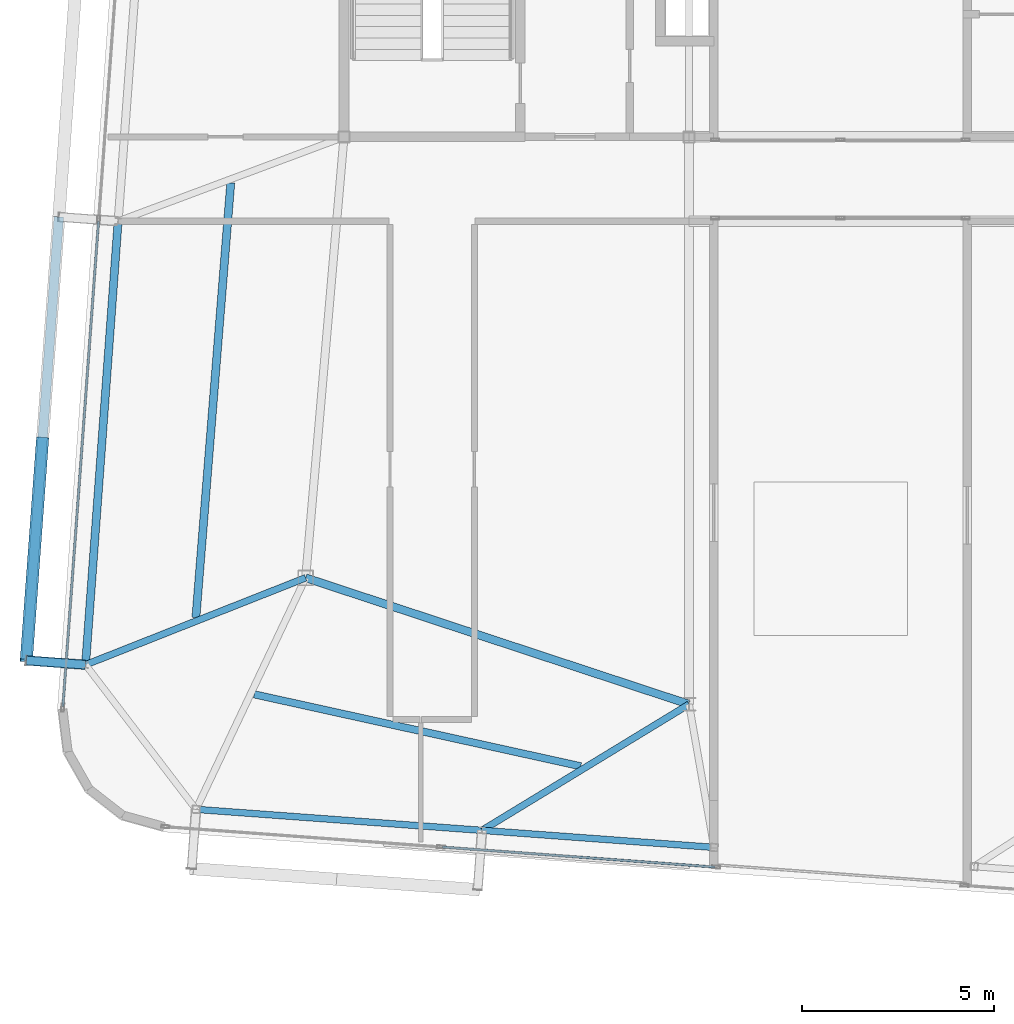
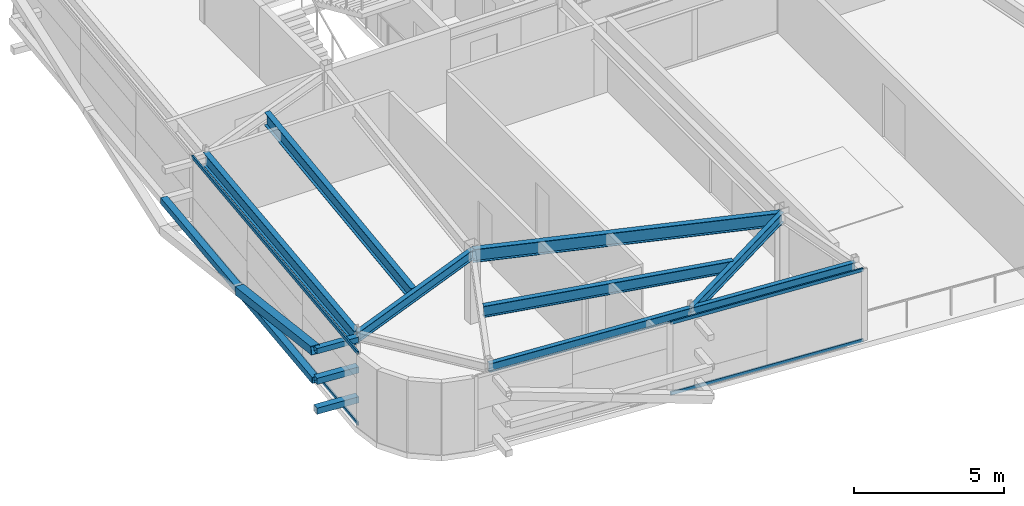
# One storey, part 10 of 36: 9 members, 8 beams, 2 elements without a shape of their own.
"""IFC4 building model written with IfcOpenShell, lengths in metres."""

from ifc_helpers import new_model, si_unit, direction, frame, origin, origin_2d, place, context, subcontext, project, spatial, hollow_rectangle, i_section, extrude, source, transform, mapped, material, layer, layer_set, material_profile, profile_set, type_object, element, aggregate, save


model = new_model("IFC4")

# Units and contexts
model_context = context("Model", 3, precision=1e-05, world=origin(), true_north=direction((0.0, 1.0)))
body_context = subcontext(model_context, "Body", "Model", "MODEL_VIEW")
ifc_project = project(units=[si_unit("LENGTHUNIT", "METRE"), si_unit("AREAUNIT", "SQUARE_METRE"), si_unit("VOLUMEUNIT", "CUBIC_METRE"), si_unit("PLANEANGLEUNIT", "RADIAN"), si_unit("MASSUNIT", "GRAM", prefix="KILO")], contexts=[model_context])

# Site, building, storey
site_placement = place(None, origin())
site = spatial("IfcSite", under=ifc_project, at=site_placement, CompositionType="ELEMENT")
building_placement = place(site_placement, origin())
building = spatial("IfcBuilding", under=site, at=building_placement, Name="Taldren Reach Tower", CompositionType="ELEMENT")
storey_placement = place(building_placement, frame((0.0, 0.0, 227.14990234375)))
storey = spatial("IfcBuildingStorey", under=building, at=storey_placement, Name="L69", CompositionType="ELEMENT", Elevation=227.14990234375)

# Beams
ifc_material_1 = material(Name="Steel Gr 350 (350PLUS)", Category="steel")
ifc_material_profile_1 = material_profile(ifc_material_1, i_section(OverallWidth=0.208984375, OverallDepth=0.532958984375, WebThickness=0.01025390625, FlangeThickness=0.015625, at=origin_2d()), Name="530UB92.4")
ifc_profile_set_1 = profile_set([ifc_material_profile_1], Name="Steel Gr 350 (350PLUS)")
beam_type_1 = type_object("IfcBeamType", Name="BM-UB530A", PredefinedType="BEAM", material=ifc_profile_set_1)
shared_shape_1 = source(origin(), body_context, "Body", "SweptSolid", [
    extrude(i_section(OverallWidth=0.208984375, OverallDepth=0.532958984375, WebThickness=0.01025390625, FlangeThickness=0.015625, at=origin_2d()), origin(), (0.0, 0.0, 1.0), 10.530517578125),
])
beam_1_placement = place(storey_placement, frame((18.0, 12.5, 2.66357421875), z_axis=(0.949627269203, -0.313381635689, 0.0), x_axis=(0.313381635689, 0.949627269203, 0.0)))
element("IfcBeam", 1, at=beam_1_placement, inside=storey, type_object=beam_type_1, Name="Core-spine girder L69-SP10", PredefinedType="BEAM", context=body_context, shape_type="MappedRepresentation", body=[
    mapped(shared_shape_1, transform((0.0, 0.0, 0.0), scale=1.0)),
])
ifc_material_profile_2 = material_profile(ifc_material_1, i_section(OverallWidth=0.172119140625, OverallDepth=0.35888671875, WebThickness=0.008056640625, FlangeThickness=0.012939453125, at=origin_2d()), Name="360UB56.7")
ifc_profile_set_2 = profile_set([ifc_material_profile_2], Name="Steel Gr 350 (350PLUS)")
beam_type_2 = type_object("IfcBeamType", Name="SP-UB360", PredefinedType="SPANDREL", material=ifc_profile_set_2)
shared_shape_2 = source(origin(), body_context, "Body", "SweptSolid", [
    extrude(i_section(OverallWidth=0.172119140625, OverallDepth=0.35888671875, WebThickness=0.008056640625, FlangeThickness=0.012939453125, at=origin_2d()), origin(), (0.0, 0.0, 1.0), 7.47998046875),
])
beam_2_placement = place(storey_placement, frame((15.140625, 6.460205078125, 2.75048828125), z_axis=(0.997314220642, -0.07324169103, 0.0), x_axis=(0.07324169103, 0.997314220642, 0.0)))
element("IfcBeam", 2, at=beam_2_placement, inside=storey, type_object=beam_type_2, Name="Perimeter spandrel B5 S1-S2 L69", PredefinedType="SPANDREL", context=body_context, shape_type="MappedRepresentation", body=[
    mapped(shared_shape_2, transform((0.0, 0.0, 0.0), scale=1.0)),
])
shared_shape_3 = source(origin(), body_context, "Body", "SweptSolid", [
    extrude(i_section(OverallWidth=0.172119140625, OverallDepth=0.35888671875, WebThickness=0.008056640625, FlangeThickness=0.012939453125, at=origin_2d()), origin(), (0.0, 0.0, 1.0), 6.070068359375),
])
beam_3_placement = place(storey_placement, frame((22.6005859375, 5.912353515625, 2.75048828125), z_axis=(0.997314196413, -0.073242020958, 0.0), x_axis=(0.073242020958, 0.997314196413, 0.0)))
element("IfcBeam", 3, at=beam_3_placement, inside=storey, type_object=beam_type_2, Name="Perimeter spandrel B5 S2-PJ1 L69", PredefinedType="SPANDREL", context=body_context, shape_type="MappedRepresentation", body=[
    mapped(shared_shape_3, transform((0.0, 0.0, 0.0), scale=1.0)),
])
ifc_material_profile_3 = material_profile(ifc_material_1, i_section(OverallWidth=0.208984375, OverallDepth=0.528076171875, WebThickness=0.009521484375, FlangeThickness=0.01318359375, at=origin_2d()), Name="530UB82.0")
ifc_profile_set_3 = profile_set([ifc_material_profile_3], Name="Steel Gr 350 (350PLUS)")
beam_type_3 = type_object("IfcBeamType", Name="SP-UB530B", PredefinedType="SPANDREL", material=ifc_profile_set_3)
shared_shape_4 = source(origin(), body_context, "Body", "SweptSolid", [
    extrude(i_section(OverallWidth=0.208984375, OverallDepth=0.528076171875, WebThickness=0.009521484375, FlangeThickness=0.01318359375, at=origin_2d()), origin(), (0.0, 0.0, 1.0), 11.60009765625),
])
beam_4_placement = place(storey_placement, frame((13.108642578125, 21.80029296875, 2.666015625), z_axis=(-0.073242167855, -0.997314185625, 0.0), x_axis=(0.997314185625, -0.073242167855, 0.0)))
element("IfcBeam", 4, at=beam_4_placement, inside=storey, type_object=beam_type_3, Name="Perimeter spandrel B5 W2-W1 L69", PredefinedType="SPANDREL", context=body_context, shape_type="MappedRepresentation", body=[
    mapped(shared_shape_4, transform((0.0, 0.0, 0.0), scale=1.0)),
])
ifc_material_profile_4 = material_profile(ifc_material_1, i_section(OverallWidth=0.177978515625, OverallDepth=0.406005859375, WebThickness=0.0078125, FlangeThickness=0.0126953125, at=origin_2d()), Name="410UB59.7")
ifc_profile_set_4 = profile_set([ifc_material_profile_4], Name="Steel Gr 350 (350PLUS)")
beam_type_4 = type_object("IfcBeamType", Name="BM-UB410", PredefinedType="BEAM", material=ifc_profile_set_4)
shared_shape_5 = source(origin(), body_context, "Body", "SweptSolid", [
    extrude(i_section(OverallWidth=0.177978515625, OverallDepth=0.406005859375, WebThickness=0.0078125, FlangeThickness=0.0126953125, at=origin_2d()), origin(), (0.0, 0.0, 1.0), 6.321533203125),
])
beam_5_placement = place(storey_placement, frame((28.0, 9.199951171875, 2.72705078125), z_axis=(-0.854128445192, -0.520062110823, 0.0), x_axis=(0.520062110823, -0.854128445192, 0.0)))
element("IfcBeam", 5, at=beam_5_placement, inside=storey, type_object=beam_type_4, Name="Primary floor girder B5-S2 L69", PredefinedType="BEAM", context=body_context, shape_type="MappedRepresentation", body=[
    mapped(shared_shape_5, transform((0.0, 0.0, 0.0), scale=1.0)),
])
shared_shape_6 = source(origin(), body_context, "Body", "SweptSolid", [
    extrude(i_section(OverallWidth=0.177978515625, OverallDepth=0.406005859375, WebThickness=0.0078125, FlangeThickness=0.0126953125, at=origin_2d()), origin(), (0.0, 0.0, 1.0), 6.1728515625),
])
beam_6_placement = place(storey_placement, frame((18.0, 12.5, 2.72705078125), z_axis=(-0.930023287794, -0.367500590695, 0.0), x_axis=(0.367500590695, -0.930023287794, 0.0)))
element("IfcBeam", 6, at=beam_6_placement, inside=storey, type_object=beam_type_4, Name="Primary floor girder B5-W1 L69", PredefinedType="BEAM", context=body_context, shape_type="MappedRepresentation", body=[
    mapped(shared_shape_6, transform((0.0, 0.0, 0.0), scale=1.0)),
])
ifc_material_profile_5 = material_profile(ifc_material_1, i_section(OverallWidth=0.19091796875, OverallDepth=0.4599609375, WebThickness=0.010009765625, FlangeThickness=0.01611328125, at=origin_2d()), Name="460UB82.1")
ifc_profile_set_5 = profile_set([ifc_material_profile_5], Name="Steel Gr 350 (350PLUS)")
beam_type_5 = type_object("IfcBeamType", Name="BM-UB460A", PredefinedType="BEAM", material=ifc_profile_set_5)
shared_shape_7 = source(origin(), body_context, "Body", "SweptSolid", [
    extrude(i_section(OverallWidth=0.19091796875, OverallDepth=0.4599609375, WebThickness=0.010009765625, FlangeThickness=0.01611328125, at=origin_2d()), origin(), (0.0, 0.0, 1.0), 8.719482421875),
])
beam_7_placement = place(storey_placement, frame((16.659423828125, 9.46044921875, 2.7001953125), z_axis=(0.976568964704, -0.2152046867, 0.0), x_axis=(0.2152046867, 0.976568964704, 0.0)))
element("IfcBeam", 7, at=beam_7_placement, inside=storey, type_object=beam_type_5, Name="Secondary floor beam B5 J1 L69", PredefinedType="BEAM", context=body_context, shape_type="MappedRepresentation", body=[
    mapped(shared_shape_7, transform((0.0, 0.0, 0.0), scale=1.0)),
])
shared_shape_8 = source(origin(), body_context, "Body", "SweptSolid", [
    extrude(i_section(OverallWidth=0.208984375, OverallDepth=0.532958984375, WebThickness=0.01025390625, FlangeThickness=0.015625, at=origin_2d()), origin(), (0.0, 0.0, 1.0), 11.3740234375),
])
beam_8_placement = place(storey_placement, frame((15.137451171875, 11.464599609375, 2.66357421875), z_axis=(0.079913287803, 0.996801819036, 0.0), x_axis=(-0.996801819036, 0.079913287803, 0.0)))
element("IfcBeam", 8, at=beam_8_placement, inside=storey, type_object=beam_type_1, Name="Secondary floor beam B5 J6 L69", PredefinedType="BEAM", context=body_context, shape_type="MappedRepresentation", body=[
    mapped(shared_shape_8, transform((0.0, 0.0, 0.0), scale=1.0)),
])

# Members
ifc_material_2 = material(Name="Steel Gr 450 (C450L0)", Category="steel")
ifc_material_profile_6 = material_profile(ifc_material_2, hollow_rectangle(XDim=0.219970703125, YDim=0.219970703125, WallThickness=0.00830078125, at=origin_2d()), Name="220x220x8.2SHS")
ifc_profile_set_6 = profile_set([ifc_material_profile_6], Name="Steel Gr 450 (C450L0)")
member_type_1 = type_object("IfcMemberType", Name="MB-TIE219", PredefinedType="STRUT", material=ifc_profile_set_6)
shared_shape_9 = source(origin(), body_context, "Body", "SweptSolid", [
    extrude(hollow_rectangle(XDim=0.219970703125, YDim=0.219970703125, WallThickness=0.00830078125, at=origin_2d()), origin(), (0.0, 0.0, 1.0), 1.5458984375),
])
member_1_placement = place(storey_placement, frame((12.255126953125, 10.231689453125, 2.650146484375), z_axis=(-0.997311530447, 0.073278313559, 0.0), x_axis=(-0.073278313559, -0.997311530447, 0.0)))
element("IfcMember", 9, at=member_1_placement, inside=storey, type_object=member_type_1, Name="Exoskeleton diaphragm tie strut B5-W1 L69", PredefinedType="STRUT", context=body_context, shape_type="MappedRepresentation", body=[
    mapped(shared_shape_9, transform((0.0, 0.0, 0.0), scale=1.0)),
])
ifc_material_profile_7 = material_profile(ifc_material_2, hollow_rectangle(XDim=0.324951171875, YDim=0.324951171875, WallThickness=0.0126953125, at=origin_2d()), Name="325x325x12.7SHS")
ifc_profile_set_7 = profile_set([ifc_material_profile_7], Name="Steel Gr 450 (C450L0)")
member_type_2 = type_object("IfcMemberType", Name="MB-BR324", PredefinedType="BRACE", material=ifc_profile_set_7)
shared_shape_10 = source(origin(), body_context, "Body", "SweptSolid", [
    extrude(hollow_rectangle(XDim=0.324951171875, YDim=0.324951171875, WallThickness=0.0126953125, at=origin_2d()), origin(), (0.0, 0.0, 1.0), 5.92578125),
])
member_2_placement = place(storey_placement, frame((11.137939453125, 16.12939453125, 1.43505859375), z_axis=(-0.071644948114, -0.976126368983, 0.205047099921), x_axis=(0.997317259472, -0.073200300267, 0.0)))
element("IfcMember", 10, at=member_2_placement, inside=storey, type_object=member_type_2, Name="Exoskeleton Diagrid Brace B5-W1 L69", PredefinedType="BRACE", context=body_context, shape_type="MappedRepresentation", body=[
    mapped(shared_shape_10, transform((0.0, 0.0, 0.0), scale=1.0)),
])
ifc_material_3 = material(Name="Steel Gr 350 (C350L0)", Category="steel")
ifc_material_profile_8 = material_profile(ifc_material_3, hollow_rectangle(XDim=0.25, YDim=0.25, WallThickness=0.010009765625, at=origin_2d()), Name="250x250x10.0SHS")
ifc_profile_set_8 = profile_set([ifc_material_profile_8], Name="Steel Gr 350 (C350L0)")
member_type_3 = type_object("IfcMemberType", Name="MB-POST250", PredefinedType="POST", material=ifc_profile_set_8)
shared_shape_11 = source(origin(), body_context, "Body", "SweptSolid", [
    extrude(hollow_rectangle(XDim=0.25, YDim=0.25, WallThickness=0.010009765625, at=origin_2d()), origin(), (0.0, 0.0, 1.0), 11.60009765625),
])
member_3_placement = place(storey_placement, frame((10.71337890625, 10.344970703125, 1.43505859375), z_axis=(0.073221234109, 0.997315722766, 0.0), x_axis=(-0.997315722766, 0.073221234109, 0.0)))
element("IfcMember", 11, at=member_3_placement, inside=storey, type_object=member_type_3, Name="Exoskeleton mid-height ring chord B5-W1 L69", PredefinedType="POST", context=body_context, shape_type="MappedRepresentation", body=[
    mapped(shared_shape_11, transform((0.0, 0.0, 0.0), scale=1.0)),
])
shared_shape_12 = source(origin(), body_context, "Body", "SweptSolid", [
    extrude(hollow_rectangle(XDim=0.25, YDim=0.25, WallThickness=0.010009765625, at=origin_2d()), origin(), (0.0, 0.0, 1.0), 1.5458984375),
])
for number, where, z_axis, x_axis, name in (
    (12, (12.255126953125, 10.231689453125, 0.22021484375), (-0.997311530447, 0.073278313559, 0.0), (-0.073278313559, -0.997311530447, 0.0), "Exoskeleton base diaphragm tie strut B5-W1 L69"),
    (13, (12.255126953125, 10.231689453125, 1.43505859375), (-0.997311530447, 0.073278313559, 0.0), (-0.073278313559, -0.997311530447, 0.0), "Exoskeleton mid-tier diaphragm tie B5-W1 L69"),
):
    element("IfcMember", number, at=place(storey_placement, frame(where, z_axis=z_axis, x_axis=x_axis)), inside=storey, type_object=member_type_3, Name=name, PredefinedType="POST", context=body_context, shape_type="MappedRepresentation", body=[
        mapped(shared_shape_12, transform((0.0, 0.0, 0.0), scale=1.0)),
    ])

# Curtain wall, members
ifc_material_4 = material(Name="Aluminium and Low-E Glass Unitised System", Category="aluminium")
ifc_layer = layer(ifc_material_4, 0.159912109375)
ifc_layer_set = layer_set([ifc_layer], Name="Aluminium and Low-E Glass Unitised System")
curtain_wall_type = type_object("IfcCurtainWallType", Name="CW-SYS-7", PredefinedType="NOTDEFINED", material=ifc_layer_set)
curtain_wall_1_placement = place(storey_placement, origin())
curtain_wall_1 = element("IfcCurtainWall", 14, at=curtain_wall_1_placement, inside=storey, type_object=curtain_wall_type, Name="Unitised curtain wall CW-L69-W", PredefinedType="NOTDEFINED")
ifc_material_5 = material(Name="Anodised Aluminium 6063-T6", Category="aluminium")
ifc_material_profile_9 = material_profile(ifc_material_5, hollow_rectangle(XDim=0.06005859375, YDim=0.135009765625, WallThickness=0.00341796875, at=origin_2d()), Name="ALU-135x60x3.5RHS")
ifc_profile_set_9 = profile_set([ifc_material_profile_9], Name="Anodised Aluminium 6063-T6")
member_type_4 = type_object("IfcMemberType", Name="CW-TRN-150", PredefinedType="USERDEFINED", material=ifc_profile_set_9)
shared_shape_13 = source(origin(), body_context, "Body", "SweptSolid", [
    extrude(hollow_rectangle(XDim=0.06005859375, YDim=0.135009765625, WallThickness=0.00341796875, at=origin_2d()), origin(), (0.0, 0.0, 1.0), 12.687744140625),
])
member_4_placement = place(storey_placement, frame((12.597412109375, 21.80029296875, 0.030029296875), z_axis=(-0.073236592425, -0.997314595065, 0.0), x_axis=(0.997314595065, -0.073236592425, 0.0)))
member_4 = element("IfcMember", 15, at=member_4_placement, type_object=member_type_4, Name="CW-7 transom 2.1", ObjectType="TRANSOM", PredefinedType="USERDEFINED", context=body_context, shape_type="MappedRepresentation", body=[
    mapped(shared_shape_13, transform((0.0, 0.0, 0.0), scale=1.0)),
])
member_5_placement = place(storey_placement, frame((12.597412109375, 21.80029296875, 2.900146484375), z_axis=(-0.073236592425, -0.997314595065, 0.0), x_axis=(0.997314595065, -0.073236592425, 0.0)))
member_5 = element("IfcMember", 16, at=member_5_placement, type_object=member_type_4, Name="CW-7 transom 2.2", ObjectType="TRANSOM", PredefinedType="USERDEFINED", context=body_context, shape_type="MappedRepresentation", body=[
    mapped(shared_shape_13, transform((0.0, 0.0, 0.0), scale=1.0)),
])
aggregate(curtain_wall_1, [member_4, member_5])

curtain_wall_2_placement = place(storey_placement, origin())
curtain_wall_2 = element("IfcCurtainWall", 17, at=curtain_wall_2_placement, inside=storey, type_object=curtain_wall_type, Name="Unitised curtain wall CW-L69-SWING", PredefinedType="NOTDEFINED")
shared_shape_14 = source(origin(), body_context, "Body", "SweptSolid", [
    extrude(hollow_rectangle(XDim=0.06005859375, YDim=0.135009765625, WallThickness=0.00341796875, at=origin_2d()), origin(), (0.0, 0.0, 1.0), 7.129150390625),
])
member_6_placement = place(storey_placement, frame((21.565185546875, 5.47705078125, 0.030029296875), z_axis=(0.997313625299, -0.073249797223, 0.0), x_axis=(0.073249797223, 0.997313625299, 0.0)))
member_6 = element("IfcMember", 18, at=member_6_placement, type_object=member_type_4, Name="CW-7 transom 2.1", ObjectType="TRANSOM", PredefinedType="USERDEFINED", context=body_context, shape_type="MappedRepresentation", body=[
    mapped(shared_shape_14, transform((0.0, 0.0, 0.0), scale=1.0)),
])
member_7_placement = place(storey_placement, frame((21.565185546875, 5.47705078125, 2.900146484375), z_axis=(0.997313625299, -0.073249797223, 0.0), x_axis=(0.073249797223, 0.997313625299, 0.0)))
member_7 = element("IfcMember", 19, at=member_7_placement, type_object=member_type_4, Name="CW-7 transom 2.2", ObjectType="TRANSOM", PredefinedType="USERDEFINED", context=body_context, shape_type="MappedRepresentation", body=[
    mapped(shared_shape_14, transform((0.0, 0.0, 0.0), scale=1.0)),
])
aggregate(curtain_wall_2, [member_6, member_7])

save(model, "model.ifc")
